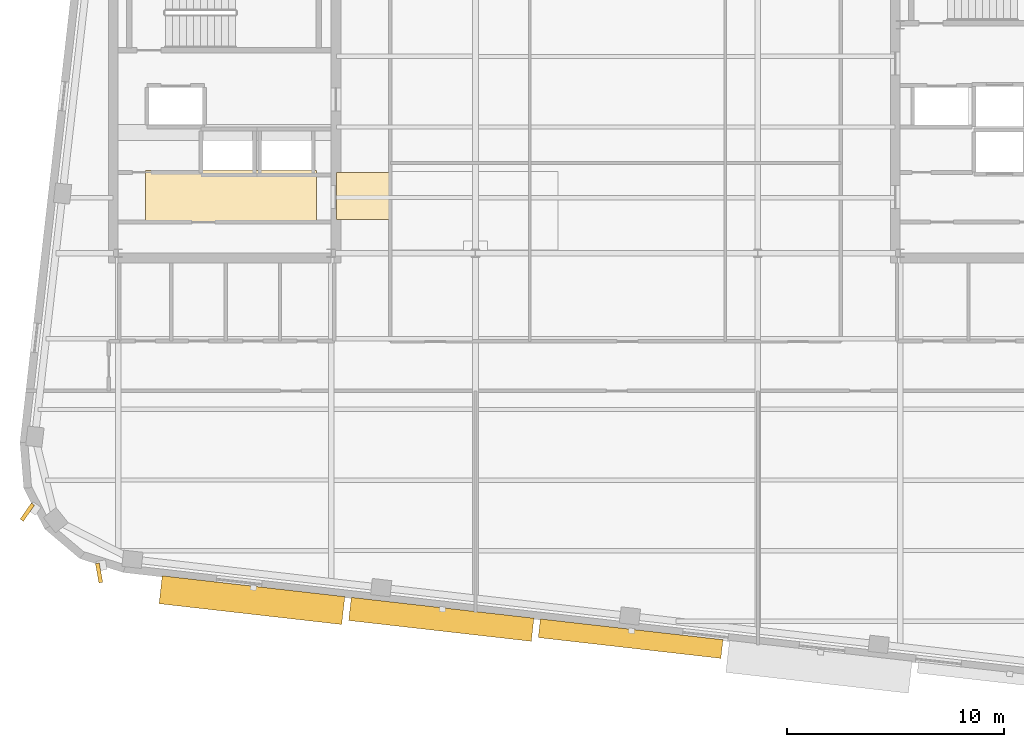
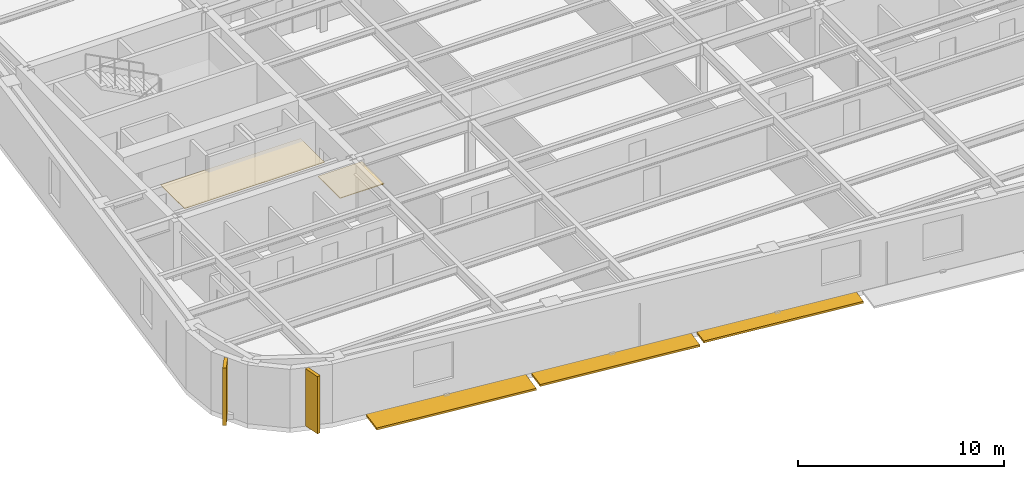
# One storey, part 10 of 14: 5 shading devices, 2 coverings.
"""IFC4 building model written with IfcOpenShell, lengths in metres."""

from ifc_helpers import new_model, si_unit, direction, frame, origin, origin_2d, place, context, subcontext, project, spatial, polyline, rectangle, outline, extrude, material, layer, layer_set, type_object, element, save


model = new_model("IFC4")

# Units and contexts
model_context = context("Model", 3, precision=1e-05, world=origin(), true_north=direction((0.0, 1.0)))
body_context = subcontext(model_context, "Body", "Model", "MODEL_VIEW")
ifc_project = project(units=[si_unit("LENGTHUNIT", "METRE"), si_unit("AREAUNIT", "SQUARE_METRE"), si_unit("VOLUMEUNIT", "CUBIC_METRE"), si_unit("PLANEANGLEUNIT", "RADIAN"), si_unit("MASSUNIT", "GRAM", prefix="KILO")], contexts=[model_context])

# Site, building, storey
site_placement = place(None, origin())
site = spatial("IfcSite", under=ifc_project, at=site_placement, CompositionType="ELEMENT")
building_placement = place(site_placement, origin())
building = spatial("IfcBuilding", under=site, at=building_placement, Name="Kolvaren Arena Tower", CompositionType="ELEMENT")
storey_placement = place(building_placement, frame((0.0, 0.0, 247.199951171875)))
storey = spatial("IfcBuildingStorey", under=building, at=storey_placement, Name="L60", CompositionType="ELEMENT", Elevation=247.199951171875)

# Coverings
ifc_material_1 = material(Name="Moisture-resistant gypsum ceiling", Category="gypsum")
ifc_layer_1 = layer(ifc_material_1, 0.030029296875)
ifc_layer_set_1 = layer_set([ifc_layer_1], Name="Moisture-resistant gypsum ceiling")
covering_type_1 = type_object("IfcCoveringType", Name="CEIL-GYP-1", PredefinedType="CEILING", material=ifc_layer_set_1)
covering_1_placement = place(storey_placement, frame((0.0, 0.0, 2.52001953125)))
element("IfcCovering", 1, at=covering_1_placement, inside=storey, type_object=covering_type_1, Name="Suspended Ceiling (L60)", PredefinedType="CEILING", context=body_context, shape_type="SweptSolid", body=[
    extrude(outline(polyline([(15.820068359375, 20.89990234375), (15.820068359375, 23.239990234375), (23.679931640625, 23.239990234375), (23.679931640625, 20.89990234375), (15.820068359375, 20.89990234375)])), origin(), (0.0, 0.0, 1.0), 0.030029296875),
])
ifc_material_2 = material(Name="Raised access office floor finish", Category="aluminium")
ifc_layer_2 = layer(ifc_material_2, 0.044921875)
ifc_layer_set_2 = layer_set([ifc_layer_2], Name="Raised access office floor finish")
covering_type_2 = type_object("IfcCoveringType", Name="FLOR-RAF-1", PredefinedType="FLOORING", material=ifc_layer_set_2)
covering_2_placement = place(storey_placement, origin())
element("IfcCovering", 2, at=covering_2_placement, inside=storey, type_object=covering_type_2, Name="Floor Finish (L60)", PredefinedType="FLOORING", context=body_context, shape_type="SweptSolid", body=[
    extrude(outline(polyline([(24.60009765625, 21.0), (24.60009765625, 23.14990234375), (27.080078125, 23.14990234375), (27.080078125, 21.0), (24.60009765625, 21.0)])), origin(), (0.0, 0.0, 1.0), 0.045166015625),
])

# Shading devices
ifc_material_3 = material(Name="Precast architectural concrete C50/60 rib fin", Category="concrete")
shading_device_type_1 = type_object("IfcShadingDeviceType", Name="SHAD-FIN-28", PredefinedType="USERDEFINED", material=ifc_material_3)
for number, where, z_axis, x_axis, name in (
    (3, (10.369140625, 7.52001953125, 0.02001953125), (0.0, 0.0, 1.0), (-0.569965213199, -0.821668823641, 0.0), "Precast 28-Deg Corner Rib Fin (L60)"),
    (4, (13.67333984375, 4.722900390625, 0.02001953125), (0.0, 0.0, 1.0), (0.177965872603, -0.984036659982, 0.0), "Precast 28-Deg Corner Rib Fin (L60)"),
):
    element("IfcShadingDevice", number, at=place(storey_placement, frame(where, z_axis=z_axis, x_axis=x_axis)), inside=storey, type_object=shading_device_type_1, Name=name, ObjectType="FIN", PredefinedType="USERDEFINED", context=body_context, shape_type="SweptSolid", body=[
        extrude(rectangle(XDim=0.89990234375, YDim=0.179931640625, at=origin_2d()), origin(), (0.0, 0.0, 1.0), 3.39990234375),
    ])
ifc_material_4 = material(Name="Architectural precast GFRC and anodised aluminium sunshade", Category="concrete")
shading_device_type_2 = type_object("IfcShadingDeviceType", Name="SHAD-SINE-A", PredefinedType="USERDEFINED", material=ifc_material_4)
shading_device_1_placement = place(storey_placement, frame((38.1416015625, 1.69873046875, -0.139892578125), z_axis=(0.0, 0.0, 1.0), x_axis=(-0.993571658098, 0.113204947878, 0.0)))
element("IfcShadingDevice", 5, at=shading_device_1_placement, inside=storey, type_object=shading_device_type_2, Name="Sinusoidal Slab-Edge Sunshade Louvre (L60)", ObjectType="LOUVRE", PredefinedType="USERDEFINED", context=body_context, shape_type="SweptSolid", body=[
    extrude(rectangle(XDim=8.4599609375, YDim=0.864501953125, at=origin_2d()), origin(), (0.0, 0.0, 1.0), 0.1201171875),
])
shading_device_2_placement = place(storey_placement, frame((29.42626953125, 2.58740234375, -0.139892578125), z_axis=(0.0, 0.0, 1.0), x_axis=(-0.993571658098, 0.113204947878, 0.0)))
element("IfcShadingDevice", 6, at=shading_device_2_placement, inside=storey, type_object=shading_device_type_2, Name="Sinusoidal Slab-Edge Sunshade Louvre (L60)", ObjectType="LOUVRE", PredefinedType="USERDEFINED", context=body_context, shape_type="SweptSolid", body=[
    extrude(rectangle(XDim=8.4599609375, YDim=1.072265625, at=origin_2d()), origin(), (0.0, 0.0, 1.0), 0.1201171875),
])
shading_device_type_3 = type_object("IfcShadingDeviceType", Name="SHAD-SINE-B", PredefinedType="JALOUSIE", material=ifc_material_4)
shading_device_3_placement = place(storey_placement, frame((20.710205078125, 3.470458984375, -0.139892578125), z_axis=(0.0, 0.0, 1.0), x_axis=(-0.993571658098, 0.113204947878, 0.0)))
element("IfcShadingDevice", 7, at=shading_device_3_placement, inside=storey, type_object=shading_device_type_3, Name="Sinusoidal Slab-Edge Sunshade Louvre (L60)", PredefinedType="JALOUSIE", context=body_context, shape_type="SweptSolid", body=[
    extrude(rectangle(XDim=8.4599609375, YDim=1.291015625, at=origin_2d()), origin(), (0.0, 0.0, 1.0), 0.1201171875),
])

save(model, "model.ifc")
